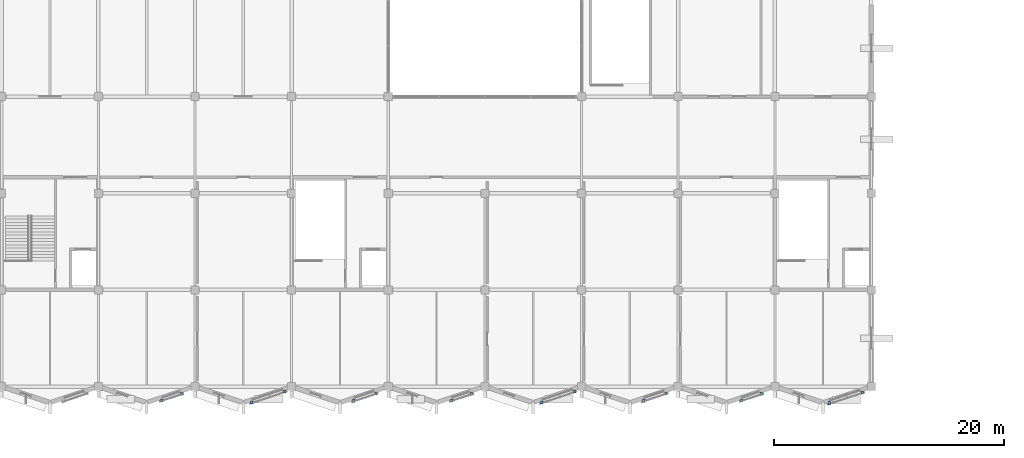
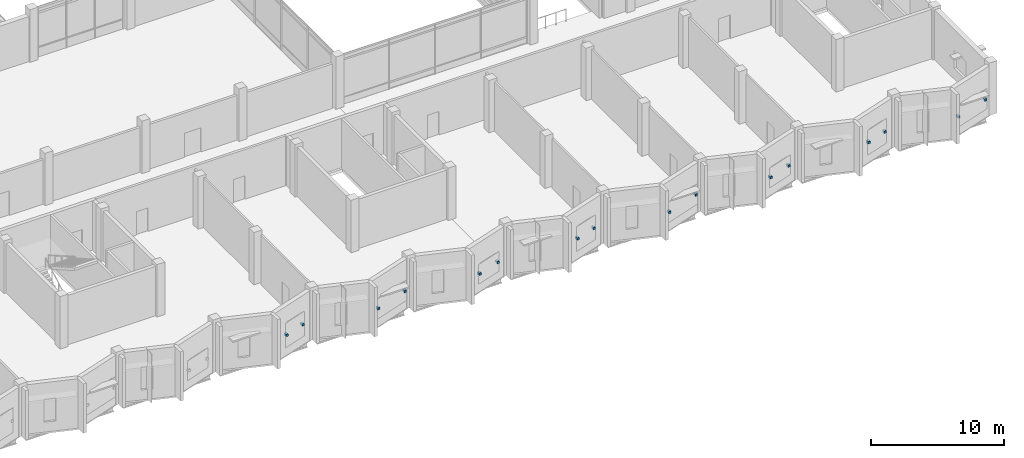
# One storey, part 106 of 110: 16 discrete accessories.
"""IFC4 building model written with IfcOpenShell, lengths in metres."""

from ifc_helpers import new_model, si_unit, direction, frame, origin, origin_2d, place, context, subcontext, project, spatial, rectangle, extrude, material, type_object, element, save


model = new_model("IFC4")

# Units and contexts
model_context = context("Model", 3, precision=1e-05, world=origin(), true_north=direction((0.0, 1.0)))
body_context = subcontext(model_context, "Body", "Model", "MODEL_VIEW")
ifc_project = project(units=[si_unit("LENGTHUNIT", "METRE"), si_unit("AREAUNIT", "SQUARE_METRE"), si_unit("VOLUMEUNIT", "CUBIC_METRE"), si_unit("PLANEANGLEUNIT", "RADIAN"), si_unit("MASSUNIT", "GRAM", prefix="KILO")], contexts=[model_context])

# Site, building, storey
site_placement = place(None, origin())
site = spatial("IfcSite", under=ifc_project, at=site_placement, CompositionType="ELEMENT")
building_placement = place(site_placement, origin())
building = spatial("IfcBuilding", under=site, at=building_placement, Name="Qawsi Khor Wholesale Market", CompositionType="ELEMENT")
storey_placement = place(building_placement, frame((0.0, 0.0, 11.39990234375)))
storey = spatial("IfcBuildingStorey", under=building, at=storey_placement, Name="L02", CompositionType="ELEMENT", Elevation=11.39990234375)

# Discrete accessories
ifc_material = material(Name="Steel S355", Category="steel")
discrete_accessory_type = type_object("IfcDiscreteAccessoryType", Name="Screen Fixing Bracket Steel S355", PredefinedType="BRACKET", material=ifc_material)
for number, where, z_axis, x_axis, name in (
    (1, (133.235107421875, -0.62548828125, 1.875), (0.0, 0.0, 1.0), (1.0, 0.0, 0.0), "Screen bracket 033-1"),
    (2, (131.50830078125, -1.201171875, 1.875), (0.0, 0.0, 1.0), (1.0, 0.0, 0.0), "Screen bracket 033-2"),
    (3, (142.2041015625, -0.435791015625, 1.67529296875), (0.0, 0.0, 1.0), (1.0, 0.0, 0.0), "Screen bracket 034-1"),
    (4, (139.339111328125, -1.390869140625, 1.67529296875), (0.0, 0.0, 1.0), (1.0, 0.0, 0.0), "Screen bracket 034-2"),
    (5, (150.139404296875, -0.5908203125, 1.64990234375), (0.0, 0.0, 1.0), (1.0, 0.0, 0.0), "Screen bracket 035-1"),
    (6, (148.2041015625, -1.23583984375, 1.64990234375), (0.0, 0.0, 1.0), (1.0, 0.0, 0.0), "Screen bracket 035-2"),
    (7, (158.43505859375, -0.62548828125, 1.875), (0.0, 0.0, 1.0), (1.0, 0.0, 0.0), "Screen bracket 036-1"),
    (8, (156.70849609375, -1.201171875, 1.875), (0.0, 0.0, 1.0), (1.0, 0.0, 0.0), "Screen bracket 036-2"),
    (9, (167.404296875, -0.435791015625, 1.67529296875), (0.0, 0.0, 1.0), (1.0, 0.0, 0.0), "Screen bracket 037-1"),
    (10, (164.539306640625, -1.390869140625, 1.67529296875), (0.0, 0.0, 1.0), (1.0, 0.0, 0.0), "Screen bracket 037-2"),
    (11, (175.33935546875, -0.5908203125, 1.64990234375), (0.0, 0.0, 1.0), (1.0, 0.0, 0.0), "Screen bracket 038-1"),
    (12, (173.404052734375, -1.23583984375, 1.64990234375), (0.0, 0.0, 1.0), (1.0, 0.0, 0.0), "Screen bracket 038-2"),
    (13, (183.635009765625, -0.62548828125, 1.875), (0.0, 0.0, 1.0), (1.0, 0.0, 0.0), "Screen bracket 039-1"),
    (14, (181.908447265625, -1.201171875, 1.875), (0.0, 0.0, 1.0), (1.0, 0.0, 0.0), "Screen bracket 039-2"),
    (15, (192.405029296875, -0.513671875, 1.67529296875), (0.0, 0.0, 1.0), (1.0, 0.0, 0.0), "Screen bracket 040-1"),
    (16, (189.537109375, -1.459716796875, 1.67529296875), (0.0, 0.0, 1.0), (1.0, 0.0, 0.0), "Screen bracket 040-2"),
):
    element("IfcDiscreteAccessory", number, at=place(storey_placement, frame(where, z_axis=z_axis, x_axis=x_axis)), inside=storey, type_object=discrete_accessory_type, Name=name, PredefinedType="BRACKET", context=body_context, shape_type="SweptSolid", body=[
        extrude(rectangle(XDim=0.199951171875, YDim=0.280029296875, at=origin_2d()), origin(), (0.0, 0.0, 1.0), 0.199951171875),
    ])

save(model, "model.ifc")
